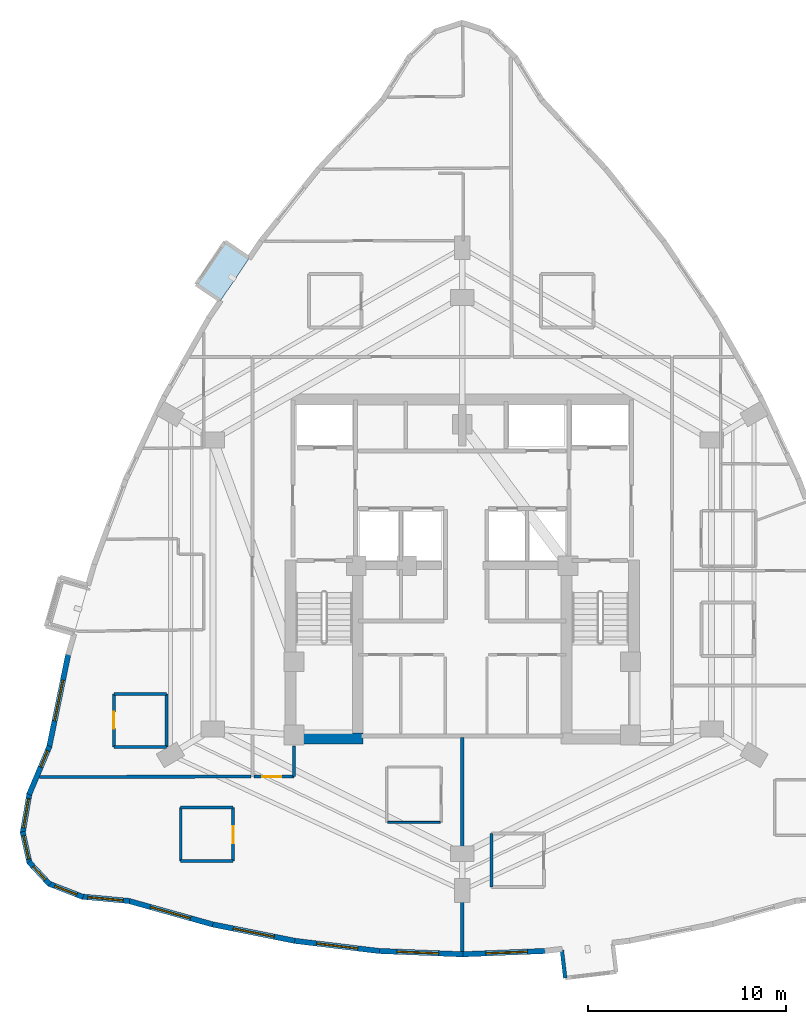
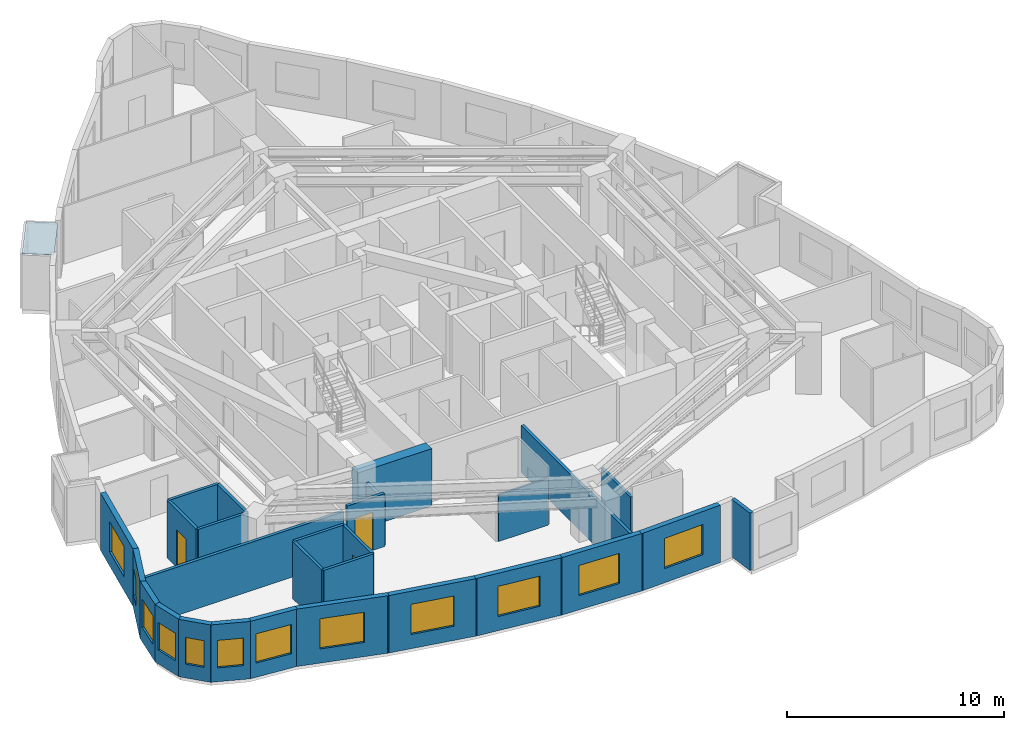
# One storey, part 5 of 11: 28 walls, 12 windows, 3 doors, 1 plate, 15 openings.
"""IFC4 building model written with IfcOpenShell, lengths in metres."""

from ifc_helpers import new_model, si_unit, direction, frame, frame_2d, origin, place, context, subcontext, project, spatial, polyline, rectangle, outline, extrude, material, layer, layer_set, type_object, element, fill, save


model = new_model("IFC4")

# Units and contexts
model_context = context("Model", 3, precision=1e-05, world=origin(), true_north=direction((0.0, 1.0)))
body_context = subcontext(model_context, "Body", "Model", "MODEL_VIEW")
ifc_project = project(units=[si_unit("LENGTHUNIT", "METRE"), si_unit("AREAUNIT", "SQUARE_METRE"), si_unit("VOLUMEUNIT", "CUBIC_METRE"), si_unit("PLANEANGLEUNIT", "RADIAN"), si_unit("MASSUNIT", "GRAM", prefix="KILO")], contexts=[model_context])

# Site, building, storey
site_placement = place(None, origin())
site = spatial("IfcSite", under=ifc_project, at=site_placement, CompositionType="ELEMENT")
building_placement = place(site_placement, origin())
building = spatial("IfcBuilding", under=site, at=building_placement, Name="Miruveldt Soraemaru", CompositionType="ELEMENT")
storey_placement = place(building_placement, frame((0.0, 0.0, 100.39990234375)))
storey = spatial("IfcBuildingStorey", under=building, at=storey_placement, Name="L27", CompositionType="ELEMENT", Elevation=100.39990234375)

# Plate
ifc_material_1 = material(Name="Standing-seam titanium-zinc sheet", Category="aluminium")
ifc_layer_1 = layer(ifc_material_1, 0.011962890625, Name="Standing-seam titanium-zinc sheet", Category="aluminium")
ifc_layer_set_1 = layer_set([ifc_layer_1], Name="Standing-seam titanium-zinc sheet")
plate_type = type_object("IfcPlateType", Name="PLT-ZINC-12", PredefinedType="SHEET", material=ifc_layer_set_1)
plate_placement = place(storey_placement, frame((0.0, 0.0, 3.085205078125)))
element("IfcPlate", 1, at=plate_placement, inside=storey, type_object=plate_type, Name="L27 Bay Window Zinc Hood Sheet 1", PredefinedType="SHEET", context=body_context, shape_type="SweptSolid", body=[
    extrude(outline(polyline([(33.243896484375, 59.58349609375), (31.785888671875, 57.430908203125), (30.560546875, 58.260986328125), (32.018798828125, 60.41357421875), (33.243896484375, 59.58349609375)])), origin(), (0.0, 0.0, 1.0), 0.011962890625),
])

# Walls
ifc_material_2 = material(Name="White powder-coated aluminium EN AW-6060 T6", Category="aluminium")
ifc_layer_2 = layer(ifc_material_2, 0.18994140625, Name="White powder-coated aluminium EN AW-6060 T6", Category="aluminium")
ifc_layer_set_2 = layer_set([ifc_layer_2], Name="White powder-coated aluminium EN AW-6060 T6")
wall_type_1 = type_object("IfcWallType", Name="WALL-BAY-ALU190", PredefinedType="SOLIDWALL", material=ifc_layer_set_2)
wall_1_placement = place(storey_placement, frame((49.033203125, 24.630859375, 0.0), z_axis=(0.0, 0.0, 1.0), x_axis=(0.119077659317, -0.992884943511, 0.0)))
element("IfcWall", 2, at=wall_1_placement, inside=storey, type_object=wall_type_1, Name="L27 Bay Window Side Cheek 3L", PredefinedType="SOLIDWALL", context=body_context, shape_type="SweptSolid", body=[
    extrude(rectangle(XDim=1.425048828125, YDim=0.18994140625, at=frame_2d((0.71240234375, 0.0))), origin(), (0.0, 0.0, 1.0), 3.235107421875),
])
ifc_material_3 = material(Name="Concrete C70/85 (70 MPa)", Category="concrete")
ifc_layer_3 = layer(ifc_material_3, 0.550048828125, Name="Concrete C70/85 (70 MPa)", Category="concrete")
ifc_layer_set_3 = layer_set([ifc_layer_3], Name="Concrete C70/85 (70 MPa)")
wall_type_2 = type_object("IfcWallType", Name="WALL-CW-550", PredefinedType="SHEAR", material=ifc_layer_set_3)
wall_2_placement = place(storey_placement, frame((35.050048828125, 35.324951171875, 0.0), z_axis=(0.0, 0.0, 1.0), x_axis=(1.0, 0.0, 0.0)))
element("IfcWall", 3, at=wall_2_placement, inside=storey, type_object=wall_type_2, Name="L27 Central Core Shear Wall S1", PredefinedType="SHEAR", context=body_context, shape_type="SweptSolid", body=[
    extrude(rectangle(XDim=3.949951171875, YDim=0.550048828125, at=frame_2d((1.97509765625, 0.0))), origin(), (0.0, 0.0, 1.0), 3.235107421875),
])

# Wall, opening, window
ifc_material_4 = material(Name="Precast concrete C45/55 (45 MPa)", Category="concrete")
ifc_layer_4 = layer(ifc_material_4, 0.27001953125, Name="Precast concrete C45/55 (45 MPa)", Category="concrete")
ifc_layer_set_4 = layer_set([ifc_layer_4], Name="Precast concrete C45/55 (45 MPa)")
wall_type_3 = type_object("IfcWallType", Name="WALL-EXT-PC270", PredefinedType="SOLIDWALL", material=ifc_layer_set_4)
wall_3_placement = place(storey_placement, frame((24.1083984375, 39.61181640625, 0.0), z_axis=(0.0, 0.0, 1.0), x_axis=(-0.201620201383, -0.979463779011, 0.0)))
wall_3 = element("IfcWall", 4, at=wall_3_placement, inside=storey, type_object=wall_type_3, Name="L27 Precast Concrete Facade Wall 14", PredefinedType="SOLIDWALL", context=body_context, shape_type="SweptSolid", body=[
    extrude(rectangle(XDim=4.84228515625, YDim=0.27001953125, at=frame_2d((2.421142578125, 0.0))), origin(), (0.0, 0.0, 1.0), 3.235107421875),
])
opening_1_placement = place(wall_3_placement, frame((1.37109375, 0.0, 0.800048828125)))
opening_1 = element("IfcOpeningElement", 5, at=opening_1_placement, cuts=wall_3, Name="Opening WN-1", PredefinedType="OPENING", context=body_context, shape_type="SweptSolid", body=[
    extrude(rectangle(XDim=2.10009765625, YDim=1.699951171875, at=frame_2d((1.050048828125, 0.85009765625))), frame((0.0, 0.14501953125, 0.0), z_axis=(0.0, -1.0, 0.0), x_axis=(1.0, 0.0, 0.0)), (0.0, 0.0, 1.0), 0.2900390625),
])
ifc_material_5 = material(Name="Triple low-e insulated glazing", Category="glass")
window_type_1 = type_object("IfcWindowType", Name="WIN-PUNCH-2100x1700", PartitioningType="SINGLE_PANEL", PredefinedType="WINDOW", material=ifc_material_5)
window_1_placement = place(opening_1_placement, origin())
window_1 = element("IfcWindow", 6, at=window_1_placement, inside=storey, type_object=window_type_1, Name="L27 Punched Triple-Glazed Window 14.1", OverallHeight=1.699951171875, OverallWidth=2.10009765625, PartitioningType="SINGLE_PANEL", PredefinedType="WINDOW", context=body_context, shape_type="SweptSolid", body=[
    extrude(rectangle(XDim=2.10009765625, YDim=1.699951171875, at=frame_2d((1.050048828125, 0.85009765625))), frame((0.0, 0.030029296875, 0.0), z_axis=(0.0, -1.0, 0.0), x_axis=(1.0, 0.0, 0.0)), (0.0, 0.0, 1.0), 0.06005859375),
])
fill(opening_1, window_1)

wall_4_placement = place(storey_placement, frame((23.15283203125, 34.935302734375, 0.0), z_axis=(0.0, 0.0, 1.0), x_axis=(-0.388669985328, -0.92137703602, 0.0)))
wall_4 = element("IfcWall", 7, at=wall_4_placement, inside=storey, type_object=wall_type_3, Name="L27 Precast Concrete Facade Wall 15", PredefinedType="SOLIDWALL", context=body_context, shape_type="SweptSolid", body=[
    extrude(rectangle(XDim=2.652587890625, YDim=0.27001953125, at=frame_2d((1.326171875, 0.0))), origin(), (0.0, 0.0, 1.0), 3.235107421875),
])
opening_2_placement = place(wall_4_placement, frame((0.2451171875, 0.0, 0.780029296875)))
opening_2 = element("IfcOpeningElement", 8, at=opening_2_placement, cuts=wall_4, Name="Opening WN-7", PredefinedType="OPENING", context=body_context, shape_type="SweptSolid", body=[
    extrude(rectangle(XDim=0.89990234375, YDim=1.5, at=frame_2d((0.449951171875, 0.75))), frame((0.0, 0.14501953125, 0.0), z_axis=(0.0, -1.0, 0.0), x_axis=(1.0, 0.0, 0.0)), (0.0, 0.0, 1.0), 0.2900390625),
])
window_type_2 = type_object("IfcWindowType", Name="WIN-PUNCH-900x1500", PartitioningType="SINGLE_PANEL", PredefinedType="WINDOW", material=ifc_material_5)
window_2_placement = place(opening_2_placement, origin())
window_2 = element("IfcWindow", 9, at=window_2_placement, inside=storey, type_object=window_type_2, Name="L27 Punched Triple-Glazed Window 15.1", OverallHeight=1.5, OverallWidth=0.89990234375, PartitioningType="SINGLE_PANEL", PredefinedType="WINDOW", context=body_context, shape_type="SweptSolid", body=[
    extrude(rectangle(XDim=0.89990234375, YDim=1.5, at=frame_2d((0.449951171875, 0.75))), frame((0.0, 0.030029296875, 0.0), z_axis=(0.0, -1.0, 0.0), x_axis=(1.0, 0.0, 0.0)), (0.0, 0.0, 1.0), 0.06005859375),
])
fill(opening_2, window_2)

wall_5_placement = place(storey_placement, frame((22.141357421875, 32.557861328125, 0.0), z_axis=(0.0, 0.0, 1.0), x_axis=(-0.169331450477, -0.985559161024, 0.0)))
wall_5 = element("IfcWall", 10, at=wall_5_placement, inside=storey, type_object=wall_type_3, Name="L27 Precast Concrete Facade Wall 16", PredefinedType="SOLIDWALL", context=body_context, shape_type="SweptSolid", body=[
    extrude(rectangle(XDim=2.0458984375, YDim=0.27001953125, at=frame_2d((1.02294921875, 0.0))), origin(), (0.0, 0.0, 1.0), 3.235107421875),
])
opening_3_placement = place(wall_5_placement, frame((0.27294921875, 0.0, 0.800048828125)))
opening_3 = element("IfcOpeningElement", 11, at=opening_3_placement, cuts=wall_5, Name="Opening WN-3", PredefinedType="OPENING", context=body_context, shape_type="SweptSolid", body=[
    extrude(rectangle(XDim=1.5, YDim=1.60009765625, at=frame_2d((0.75, 0.800048828125))), frame((0.0, 0.14501953125, 0.0), z_axis=(0.0, -1.0, 0.0), x_axis=(1.0, 0.0, 0.0)), (0.0, 0.0, 1.0), 0.2900390625),
])
window_type_3 = type_object("IfcWindowType", Name="WIN-PUNCH-1500x1600", PartitioningType="SINGLE_PANEL", PredefinedType="WINDOW", material=ifc_material_5)
window_3_placement = place(opening_3_placement, origin())
window_3 = element("IfcWindow", 12, at=window_3_placement, inside=storey, type_object=window_type_3, Name="L27 Punched Triple-Glazed Window 16.1", OverallHeight=1.60009765625, OverallWidth=1.5, PartitioningType="SINGLE_PANEL", PredefinedType="WINDOW", context=body_context, shape_type="SweptSolid", body=[
    extrude(rectangle(XDim=1.5, YDim=1.60009765625, at=frame_2d((0.75, 0.800048828125))), frame((0.0, 0.030029296875, 0.0), z_axis=(0.0, -1.0, 0.0), x_axis=(1.0, 0.0, 0.0)), (0.0, 0.0, 1.0), 0.06005859375),
])
fill(opening_3, window_3)

wall_6_placement = place(storey_placement, frame((21.793212890625, 30.6103515625, 0.0), z_axis=(0.0, 0.0, 1.0), x_axis=(0.215829951382, -0.97643096637, 0.0)))
wall_6 = element("IfcWall", 13, at=wall_6_placement, inside=storey, type_object=wall_type_3, Name="L27 Precast Concrete Facade Wall 17", PredefinedType="SOLIDWALL", context=body_context, shape_type="SweptSolid", body=[
    extrude(rectangle(XDim=1.620849609375, YDim=0.27001953125, at=frame_2d((0.810546875, 0.0))), origin(), (0.0, 0.0, 1.0), 3.235107421875),
])
opening_4_placement = place(wall_6_placement, frame((0.2109375, 0.0, 0.780029296875)))
opening_4 = element("IfcOpeningElement", 14, at=opening_4_placement, cuts=wall_6, Name="Opening WN-4", PredefinedType="OPENING", context=body_context, shape_type="SweptSolid", body=[
    extrude(rectangle(XDim=1.199951171875, YDim=1.550048828125, at=frame_2d((0.60009765625, 0.77490234375))), frame((0.0, 0.14501953125, 0.0), z_axis=(0.0, -1.0, 0.0), x_axis=(1.0, 0.0, 0.0)), (0.0, 0.0, 1.0), 0.2900390625),
])
window_type_4 = type_object("IfcWindowType", Name="WIN-PUNCH-1200x1550", PartitioningType="SINGLE_PANEL", PredefinedType="WINDOW", material=ifc_material_5)
window_4_placement = place(opening_4_placement, origin())
window_4 = element("IfcWindow", 15, at=window_4_placement, inside=storey, type_object=window_type_4, Name="L27 Punched Triple-Glazed Window 17.1", OverallHeight=1.550048828125, OverallWidth=1.199951171875, PartitioningType="SINGLE_PANEL", PredefinedType="WINDOW", context=body_context, shape_type="SweptSolid", body=[
    extrude(rectangle(XDim=1.199951171875, YDim=1.550048828125, at=frame_2d((0.60009765625, 0.77490234375))), frame((0.0, 0.030029296875, 0.0), z_axis=(0.0, -1.0, 0.0), x_axis=(1.0, 0.0, 0.0)), (0.0, 0.0, 1.0), 0.06005859375),
])
fill(opening_4, window_4)

wall_7_placement = place(storey_placement, frame((22.11181640625, 29.08740234375, 0.0), z_axis=(0.0, 0.0, 1.0), x_axis=(0.680154174704, -0.733069095402, 0.0)))
wall_7 = element("IfcWall", 16, at=wall_7_placement, inside=storey, type_object=wall_type_3, Name="L27 Precast Concrete Facade Wall 18", PredefinedType="SOLIDWALL", context=body_context, shape_type="SweptSolid", body=[
    extrude(rectangle(XDim=1.545654296875, YDim=0.27001953125, at=frame_2d((0.77294921875, 0.0))), origin(), (0.0, 0.0, 1.0), 3.235107421875),
])
opening_5_placement = place(wall_7_placement, frame((0.322998046875, 0.0, 0.780029296875)))
opening_5 = element("IfcOpeningElement", 17, at=opening_5_placement, cuts=wall_7, Name="Opening WN-7", PredefinedType="OPENING", context=body_context, shape_type="SweptSolid", body=[
    extrude(rectangle(XDim=0.89990234375, YDim=1.5, at=frame_2d((0.449951171875, 0.75))), frame((0.0, 0.14501953125, 0.0), z_axis=(0.0, -1.0, 0.0), x_axis=(1.0, 0.0, 0.0)), (0.0, 0.0, 1.0), 0.2900390625),
])
window_5_placement = place(opening_5_placement, origin())
window_5 = element("IfcWindow", 18, at=window_5_placement, inside=storey, type_object=window_type_2, Name="L27 Punched Triple-Glazed Window 18.1", OverallHeight=1.5, OverallWidth=0.89990234375, PartitioningType="SINGLE_PANEL", PredefinedType="WINDOW", context=body_context, shape_type="SweptSolid", body=[
    extrude(rectangle(XDim=0.89990234375, YDim=1.5, at=frame_2d((0.449951171875, 0.75))), frame((0.0, 0.030029296875, 0.0), z_axis=(0.0, -1.0, 0.0), x_axis=(1.0, 0.0, 0.0)), (0.0, 0.0, 1.0), 0.06005859375),
])
fill(opening_5, window_5)

wall_8_placement = place(storey_placement, frame((23.106689453125, 27.99267578125, 0.0), z_axis=(0.0, 0.0, 1.0), x_axis=(0.932247758565, -0.361820558634, 0.0)))
wall_8 = element("IfcWall", 19, at=wall_8_placement, inside=storey, type_object=wall_type_3, Name="L27 Precast Concrete Facade Wall 19", PredefinedType="SOLIDWALL", context=body_context, shape_type="SweptSolid", body=[
    extrude(rectangle(XDim=1.8642578125, YDim=0.27001953125, at=frame_2d((0.93212890625, 0.0))), origin(), (0.0, 0.0, 1.0), 3.235107421875),
])
opening_6_placement = place(wall_8_placement, frame((0.33203125, 0.0, 0.780029296875)))
opening_6 = element("IfcOpeningElement", 20, at=opening_6_placement, cuts=wall_8, Name="Opening WN-4", PredefinedType="OPENING", context=body_context, shape_type="SweptSolid", body=[
    extrude(rectangle(XDim=1.199951171875, YDim=1.550048828125, at=frame_2d((0.60009765625, 0.77490234375))), frame((0.0, 0.14501953125, 0.0), z_axis=(0.0, -1.0, 0.0), x_axis=(1.0, 0.0, 0.0)), (0.0, 0.0, 1.0), 0.2900390625),
])
window_6_placement = place(opening_6_placement, origin())
window_6 = element("IfcWindow", 21, at=window_6_placement, inside=storey, type_object=window_type_4, Name="L27 Punched Triple-Glazed Window 19.1", OverallHeight=1.550048828125, OverallWidth=1.199951171875, PartitioningType="SINGLE_PANEL", PredefinedType="WINDOW", context=body_context, shape_type="SweptSolid", body=[
    extrude(rectangle(XDim=1.199951171875, YDim=1.550048828125, at=frame_2d((0.60009765625, 0.77490234375))), frame((0.0, 0.030029296875, 0.0), z_axis=(0.0, -1.0, 0.0), x_axis=(1.0, 0.0, 0.0)), (0.0, 0.0, 1.0), 0.06005859375),
])
fill(opening_6, window_6)

wall_9_placement = place(storey_placement, frame((24.777099609375, 27.333984375, 0.0), z_axis=(0.0, 0.0, 1.0), x_axis=(0.995766679018, -0.091916924217, 0.0)))
wall_9 = element("IfcWall", 22, at=wall_9_placement, inside=storey, type_object=wall_type_3, Name="L27 Precast Concrete Facade Wall 20", PredefinedType="SOLIDWALL", context=body_context, shape_type="SweptSolid", body=[
    extrude(rectangle(XDim=2.42236328125, YDim=0.27001953125, at=frame_2d((1.211181640625, 0.0))), origin(), (0.0, 0.0, 1.0), 3.235107421875),
])
opening_7_placement = place(wall_9_placement, frame((0.31103515625, 0.0, 0.800048828125)))
opening_7 = element("IfcOpeningElement", 23, at=opening_7_placement, cuts=wall_9, Name="Opening WN-2", PredefinedType="OPENING", context=body_context, shape_type="SweptSolid", body=[
    extrude(rectangle(XDim=1.800048828125, YDim=1.64990234375, at=frame_2d((0.89990234375, 0.824951171875))), frame((0.0, 0.14501953125, 0.0), z_axis=(0.0, -1.0, 0.0), x_axis=(1.0, 0.0, 0.0)), (0.0, 0.0, 1.0), 0.2900390625),
])
window_type_5 = type_object("IfcWindowType", Name="WIN-PUNCH-1800x1650", PartitioningType="SINGLE_PANEL", PredefinedType="WINDOW", material=ifc_material_5)
window_7_placement = place(opening_7_placement, origin())
window_7 = element("IfcWindow", 24, at=window_7_placement, inside=storey, type_object=window_type_5, Name="L27 Punched Triple-Glazed Window 20.1", OverallHeight=1.64990234375, OverallWidth=1.800048828125, PartitioningType="SINGLE_PANEL", PredefinedType="WINDOW", context=body_context, shape_type="SweptSolid", body=[
    extrude(rectangle(XDim=1.800048828125, YDim=1.64990234375, at=frame_2d((0.89990234375, 0.824951171875))), frame((0.0, 0.030029296875, 0.0), z_axis=(0.0, -1.0, 0.0), x_axis=(1.0, 0.0, 0.0)), (0.0, 0.0, 1.0), 0.06005859375),
])
fill(opening_7, window_7)

wall_10_placement = place(storey_placement, frame((27.12060546875, 27.1240234375, 0.0), z_axis=(0.0, 0.0, 1.0), x_axis=(0.962968014134, -0.269615659327, 0.0)))
wall_10 = element("IfcWall", 25, at=wall_10_placement, inside=storey, type_object=wall_type_3, Name="L27 Precast Concrete Facade Wall 21", PredefinedType="SOLIDWALL", context=body_context, shape_type="SweptSolid", body=[
    extrude(rectangle(XDim=4.443359375, YDim=0.27001953125, at=frame_2d((2.2216796875, 0.0))), origin(), (0.0, 0.0, 1.0), 3.235107421875),
])
opening_8_placement = place(wall_10_placement, frame((1.1708984375, 0.0, 0.800048828125)))
opening_8 = element("IfcOpeningElement", 26, at=opening_8_placement, cuts=wall_10, Name="Opening WN-1", PredefinedType="OPENING", context=body_context, shape_type="SweptSolid", body=[
    extrude(rectangle(XDim=2.10009765625, YDim=1.699951171875, at=frame_2d((1.050048828125, 0.85009765625))), frame((0.0, 0.14501953125, 0.0), z_axis=(0.0, -1.0, 0.0), x_axis=(1.0, 0.0, 0.0)), (0.0, 0.0, 1.0), 0.2900390625),
])
window_8_placement = place(opening_8_placement, origin())
window_8 = element("IfcWindow", 27, at=window_8_placement, inside=storey, type_object=window_type_1, Name="L27 Punched Triple-Glazed Window 21.1", OverallHeight=1.699951171875, OverallWidth=2.10009765625, PartitioningType="SINGLE_PANEL", PredefinedType="WINDOW", context=body_context, shape_type="SweptSolid", body=[
    extrude(rectangle(XDim=2.10009765625, YDim=1.699951171875, at=frame_2d((1.050048828125, 0.85009765625))), frame((0.0, 0.030029296875, 0.0), z_axis=(0.0, -1.0, 0.0), x_axis=(1.0, 0.0, 0.0)), (0.0, 0.0, 1.0), 0.06005859375),
])
fill(opening_8, window_8)

wall_11_placement = place(storey_placement, frame((31.331298828125, 25.9423828125, 0.0), z_axis=(0.0, 0.0, 1.0), x_axis=(0.980572069577, -0.196159160801, 0.0)))
wall_11 = element("IfcWall", 28, at=wall_11_placement, inside=storey, type_object=wall_type_3, Name="L27 Precast Concrete Facade Wall 22", PredefinedType="SOLIDWALL", context=body_context, shape_type="SweptSolid", body=[
    extrude(rectangle(XDim=4.36474609375, YDim=0.27001953125, at=frame_2d((2.182373046875, 0.0))), origin(), (0.0, 0.0, 1.0), 3.235107421875),
])
opening_9_placement = place(wall_11_placement, frame((1.132080078125, 0.0, 0.800048828125)))
opening_9 = element("IfcOpeningElement", 29, at=opening_9_placement, cuts=wall_11, Name="Opening WN-1", PredefinedType="OPENING", context=body_context, shape_type="SweptSolid", body=[
    extrude(rectangle(XDim=2.10009765625, YDim=1.699951171875, at=frame_2d((1.050048828125, 0.85009765625))), frame((0.0, 0.14501953125, 0.0), z_axis=(0.0, -1.0, 0.0), x_axis=(1.0, 0.0, 0.0)), (0.0, 0.0, 1.0), 0.2900390625),
])
window_9_placement = place(opening_9_placement, origin())
window_9 = element("IfcWindow", 30, at=window_9_placement, inside=storey, type_object=window_type_1, Name="L27 Punched Triple-Glazed Window 22.1", OverallHeight=1.699951171875, OverallWidth=2.10009765625, PartitioningType="SINGLE_PANEL", PredefinedType="WINDOW", context=body_context, shape_type="SweptSolid", body=[
    extrude(rectangle(XDim=2.10009765625, YDim=1.699951171875, at=frame_2d((1.050048828125, 0.85009765625))), frame((0.0, 0.030029296875, 0.0), z_axis=(0.0, -1.0, 0.0), x_axis=(1.0, 0.0, 0.0)), (0.0, 0.0, 1.0), 0.06005859375),
])
fill(opening_9, window_9)

wall_12_placement = place(storey_placement, frame((35.542236328125, 25.097412109375, 0.0), z_axis=(0.0, 0.0, 1.0), x_axis=(0.992871478908, -0.119189875284, 0.0)))
wall_12 = element("IfcWall", 31, at=wall_12_placement, inside=storey, type_object=wall_type_3, Name="L27 Precast Concrete Facade Wall 23", PredefinedType="SOLIDWALL", context=body_context, shape_type="SweptSolid", body=[
    extrude(rectangle(XDim=4.311767578125, YDim=0.27001953125, at=frame_2d((2.15576171875, 0.0))), origin(), (0.0, 0.0, 1.0), 3.235107421875),
])
opening_10_placement = place(wall_12_placement, frame((1.10595703125, 0.0, 0.800048828125)))
opening_10 = element("IfcOpeningElement", 32, at=opening_10_placement, cuts=wall_12, Name="Opening WN-1", PredefinedType="OPENING", context=body_context, shape_type="SweptSolid", body=[
    extrude(rectangle(XDim=2.10009765625, YDim=1.699951171875, at=frame_2d((1.050048828125, 0.85009765625))), frame((0.0, 0.14501953125, 0.0), z_axis=(0.0, -1.0, 0.0), x_axis=(1.0, 0.0, 0.0)), (0.0, 0.0, 1.0), 0.2900390625),
])
window_10_placement = place(opening_10_placement, origin())
window_10 = element("IfcWindow", 33, at=window_10_placement, inside=storey, type_object=window_type_1, Name="L27 Punched Triple-Glazed Window 23.1", OverallHeight=1.699951171875, OverallWidth=2.10009765625, PartitioningType="SINGLE_PANEL", PredefinedType="WINDOW", context=body_context, shape_type="SweptSolid", body=[
    extrude(rectangle(XDim=2.10009765625, YDim=1.699951171875, at=frame_2d((1.050048828125, 0.85009765625))), frame((0.0, 0.030029296875, 0.0), z_axis=(0.0, -1.0, 0.0), x_axis=(1.0, 0.0, 0.0)), (0.0, 0.0, 1.0), 0.06005859375),
])
fill(opening_10, window_10)

wall_13_placement = place(storey_placement, frame((39.75341796875, 24.589111328125, 0.0), z_axis=(0.0, 0.0, 1.0), x_axis=(0.999199775062, -0.039997618868, 0.0)))
wall_13 = element("IfcWall", 34, at=wall_13_placement, inside=storey, type_object=wall_type_3, Name="L27 Precast Concrete Facade Wall 24", PredefinedType="SOLIDWALL", context=body_context, shape_type="SweptSolid", body=[
    extrude(rectangle(XDim=4.284912109375, YDim=0.27001953125, at=frame_2d((2.142578125, 0.0))), origin(), (0.0, 0.0, 1.0), 3.235107421875),
])
opening_11_placement = place(wall_13_placement, frame((0.951904296875, 0.0, 0.800048828125)))
opening_11 = element("IfcOpeningElement", 35, at=opening_11_placement, cuts=wall_13, Name="Opening WN-1", PredefinedType="OPENING", context=body_context, shape_type="SweptSolid", body=[
    extrude(rectangle(XDim=2.10009765625, YDim=1.699951171875, at=frame_2d((1.050048828125, 0.85009765625))), frame((0.0, 0.14501953125, 0.0), z_axis=(0.0, -1.0, 0.0), x_axis=(1.0, 0.0, 0.0)), (0.0, 0.0, 1.0), 0.2900390625),
])
window_11_placement = place(opening_11_placement, origin())
window_11 = element("IfcWindow", 36, at=window_11_placement, inside=storey, type_object=window_type_1, Name="L27 Punched Triple-Glazed Window 24.1", OverallHeight=1.699951171875, OverallWidth=2.10009765625, PartitioningType="SINGLE_PANEL", PredefinedType="WINDOW", context=body_context, shape_type="SweptSolid", body=[
    extrude(rectangle(XDim=2.10009765625, YDim=1.699951171875, at=frame_2d((1.050048828125, 0.85009765625))), frame((0.0, 0.030029296875, 0.0), z_axis=(0.0, -1.0, 0.0), x_axis=(1.0, 0.0, 0.0)), (0.0, 0.0, 1.0), 0.06005859375),
])
fill(opening_11, window_11)

wall_14_placement = place(storey_placement, frame((43.965087890625, 24.417724609375, 0.0), z_axis=(0.0, 0.0, 1.0), x_axis=(0.999199775062, 0.039997618868, 0.0)))
wall_14 = element("IfcWall", 37, at=wall_14_placement, inside=storey, type_object=wall_type_3, Name="L27 Precast Concrete Facade Wall 25", PredefinedType="SOLIDWALL", context=body_context, shape_type="SweptSolid", body=[
    extrude(rectangle(XDim=4.284912109375, YDim=0.27001953125, at=frame_2d((2.142578125, 0.0))), origin(), (0.0, 0.0, 1.0), 3.235107421875),
])
opening_12_placement = place(wall_14_placement, frame((1.23291015625, 0.0, 0.800048828125)))
opening_12 = element("IfcOpeningElement", 38, at=opening_12_placement, cuts=wall_14, Name="Opening WN-1", PredefinedType="OPENING", context=body_context, shape_type="SweptSolid", body=[
    extrude(rectangle(XDim=2.10009765625, YDim=1.699951171875, at=frame_2d((1.050048828125, 0.85009765625))), frame((0.0, 0.14501953125, 0.0), z_axis=(0.0, -1.0, 0.0), x_axis=(1.0, 0.0, 0.0)), (0.0, 0.0, 1.0), 0.2900390625),
])
window_12_placement = place(opening_12_placement, origin())
window_12 = element("IfcWindow", 39, at=window_12_placement, inside=storey, type_object=window_type_1, Name="L27 Punched Triple-Glazed Window 25.1", OverallHeight=1.699951171875, OverallWidth=2.10009765625, PartitioningType="SINGLE_PANEL", PredefinedType="WINDOW", context=body_context, shape_type="SweptSolid", body=[
    extrude(rectangle(XDim=2.10009765625, YDim=1.699951171875, at=frame_2d((1.050048828125, 0.85009765625))), frame((0.0, 0.030029296875, 0.0), z_axis=(0.0, -1.0, 0.0), x_axis=(1.0, 0.0, 0.0)), (0.0, 0.0, 1.0), 0.06005859375),
])
fill(opening_12, window_12)

# Wall
ifc_material_6 = material(Name="Gypsum plasterboard lining", Category="gypsum")
ifc_layer_5 = layer(ifc_material_6, 0.10009765625, Name="Gypsum plasterboard lining", Category="gypsum")
ifc_layer_set_5 = layer_set([ifc_layer_5], Name="Gypsum plasterboard lining")
wall_type_4 = type_object("IfcWallType", Name="WALL-INT-P100", PredefinedType="PARTITIONING", material=ifc_layer_set_5)
wall_15_placement = place(storey_placement, frame((40.23095703125, 31.0810546875, 0.0), z_axis=(0.0, 0.0, 1.0), x_axis=(1.0, 0.0, 0.0)))
element("IfcWall", 40, at=wall_15_placement, inside=storey, type_object=wall_type_4, Name="L27 Partition Wall 60", PredefinedType="PARTITIONING", context=body_context, shape_type="SweptSolid", body=[
    extrude(rectangle(XDim=2.650146484375, YDim=0.10009765625, at=frame_2d((1.3251953125, 0.0))), origin(), (0.0, 0.0, 1.0), 2.635009765625),
])

# Wall, opening, door
ifc_layer_6 = layer(ifc_material_6, 0.14990234375, Name="Gypsum plasterboard lining", Category="gypsum")
ifc_layer_set_6 = layer_set([ifc_layer_6], Name="Gypsum plasterboard lining")
wall_type_5 = type_object("IfcWallType", Name="WALL-INT-PLUMB", PredefinedType="PLUMBINGWALL", material=ifc_layer_set_6)
wall_16_placement = place(storey_placement, frame((32.430908203125, 29.131103515625, 0.0), z_axis=(0.0, 0.0, 1.0), x_axis=(0.0, 1.0, 0.0)))
wall_16 = element("IfcWall", 41, at=wall_16_placement, inside=storey, type_object=wall_type_5, Name="L27 Partition Wall 53", PredefinedType="PLUMBINGWALL", context=body_context, shape_type="SweptSolid", body=[
    extrude(rectangle(XDim=2.699951171875, YDim=0.14990234375, at=frame_2d((1.35009765625, 0.0))), origin(), (0.0, 0.0, 1.0), 3.235107421875),
])
opening_13_placement = place(wall_16_placement, frame((0.909912109375, 0.0, 0.0)))
opening_13 = element("IfcOpeningElement", 42, at=opening_13_placement, cuts=wall_16, Name="Opening FD3", PredefinedType="OPENING", context=body_context, shape_type="SweptSolid", body=[
    extrude(rectangle(XDim=0.85009765625, YDim=2.10009765625, at=frame_2d((0.425048828125, 1.050048828125))), frame((0.0, 0.0849609375, 0.0), z_axis=(0.0, -1.0, 0.0), x_axis=(1.0, 0.0, 0.0)), (0.0, 0.0, 1.0), 0.169921875),
])
ifc_material_7 = material(Name="Anodised aluminium EN AW-6063 T6", Category="aluminium")
door_type_1 = type_object("IfcDoorType", Name="DOOR-FD3-850", OperationType="NOTDEFINED", PredefinedType="DOOR", material=ifc_material_7)
door_1_placement = place(opening_13_placement, origin())
door_1 = element("IfcDoor", 43, at=door_1_placement, inside=storey, type_object=door_type_1, Name="L27 Unit CL05 BTH Door", OperationType="SINGLE_SWING_RIGHT", OverallHeight=2.10009765625, OverallWidth=0.85009765625, PredefinedType="DOOR", context=body_context, shape_type="SweptSolid", body=[
    extrude(rectangle(XDim=0.85009765625, YDim=2.10009765625, at=frame_2d((0.425048828125, 1.050048828125))), frame((0.0, 0.02490234375, 0.0), z_axis=(0.0, -1.0, 0.0), x_axis=(1.0, 0.0, 0.0)), (0.0, 0.0, 1.0), 0.050048828125),
])
fill(opening_13, door_1)

wall_17_placement = place(storey_placement, frame((26.407958984375, 37.580078125, 0.0), z_axis=(0.0, 0.0, 1.0), x_axis=(0.0, -1.0, 0.0)))
wall_17 = element("IfcWall", 44, at=wall_17_placement, inside=storey, type_object=wall_type_5, Name="L27 Partition Wall 28", PredefinedType="PLUMBINGWALL", context=body_context, shape_type="SweptSolid", body=[
    extrude(rectangle(XDim=2.7001953125, YDim=0.14990234375, at=frame_2d((1.35009765625, 0.0))), origin(), (0.0, 0.0, 1.0), 3.235107421875),
])
opening_14_placement = place(wall_17_placement, frame((0.909912109375, 0.0, 0.0)))
opening_14 = element("IfcOpeningElement", 45, at=opening_14_placement, cuts=wall_17, Name="Opening FD3", PredefinedType="OPENING", context=body_context, shape_type="SweptSolid", body=[
    extrude(rectangle(XDim=0.85009765625, YDim=2.10009765625, at=frame_2d((0.425048828125, 1.050048828125))), frame((0.0, 0.0849609375, 0.0), z_axis=(0.0, -1.0, 0.0), x_axis=(1.0, 0.0, 0.0)), (0.0, 0.0, 1.0), 0.169921875),
])
door_2_placement = place(opening_14_placement, origin())
door_2 = element("IfcDoor", 46, at=door_2_placement, inside=storey, type_object=door_type_1, Name="L27 Unit 2703 BTH Door", OperationType="SINGLE_SWING_LEFT", OverallHeight=2.10009765625, OverallWidth=0.85009765625, PredefinedType="DOOR", context=body_context, shape_type="SweptSolid", body=[
    extrude(rectangle(XDim=0.85009765625, YDim=2.10009765625, at=frame_2d((0.425048828125, 1.050048828125))), frame((0.0, 0.02490234375, 0.0), z_axis=(0.0, -1.0, 0.0), x_axis=(1.0, 0.0, 0.0)), (0.0, 0.0, 1.0), 0.050048828125),
])
fill(opening_14, door_2)

# Walls
wall_18_placement = place(storey_placement, frame((29.781005859375, 31.8310546875, 0.0), z_axis=(0.0, 0.0, 1.0), x_axis=(0.0, -1.0, 0.0)))
element("IfcWall", 47, at=wall_18_placement, inside=storey, type_object=wall_type_5, Name="L27 Partition Wall 55", PredefinedType="PLUMBINGWALL", context=body_context, shape_type="SweptSolid", body=[
    extrude(rectangle(XDim=2.699951171875, YDim=0.14990234375, at=frame_2d((1.35009765625, 0.0))), origin(), (0.0, 0.0, 1.0), 3.235107421875),
])
wall_19_placement = place(storey_placement, frame((45.47998046875, 30.531005859375, 0.0), z_axis=(0.0, 0.0, 1.0), x_axis=(0.0, -1.0, 0.0)))
element("IfcWall", 48, at=wall_19_placement, inside=storey, type_object=wall_type_5, Name="L27 Partition Wall 64", PredefinedType="PLUMBINGWALL", context=body_context, shape_type="SweptSolid", body=[
    extrude(rectangle(XDim=2.699951171875, YDim=0.14990234375, at=frame_2d((1.35009765625, 0.0))), origin(), (0.0, 0.0, 1.0), 2.635009765625),
])
wall_20_placement = place(storey_placement, frame((29.05810546875, 34.8798828125, 0.0), z_axis=(0.0, 0.0, 1.0), x_axis=(0.0, 1.0, 0.0)))
element("IfcWall", 49, at=wall_20_placement, inside=storey, type_object=wall_type_5, Name="L27 Partition Wall 26", PredefinedType="PLUMBINGWALL", context=body_context, shape_type="SweptSolid", body=[
    extrude(rectangle(XDim=2.7001953125, YDim=0.14990234375, at=frame_2d((1.35009765625, 0.0))), origin(), (0.0, 0.0, 1.0), 3.235107421875),
])
for number, where, z_axis, x_axis, name in (
    (50, (29.05810546875, 37.580078125, 0.0), (0.0, 0.0, 1.0), (-1.0, 0.0, 0.0), "L27 Partition Wall 27"),
    (51, (26.407958984375, 34.8798828125, 0.0), (0.0, 0.0, 1.0), (1.0, 0.0, 0.0), "L27 Partition Wall 29"),
):
    element("IfcWall", number, at=place(storey_placement, frame(where, z_axis=z_axis, x_axis=x_axis)), inside=storey, type_object=wall_type_5, Name=name, PredefinedType="PLUMBINGWALL", context=body_context, shape_type="SweptSolid", body=[
        extrude(rectangle(XDim=2.650146484375, YDim=0.14990234375, at=frame_2d((1.3251953125, 0.0))), origin(), (0.0, 0.0, 1.0), 3.235107421875),
    ])
for number, where, z_axis, x_axis, name in (
    (52, (32.430908203125, 31.8310546875, 0.0), (0.0, 0.0, 1.0), (-1.0, 0.0, 0.0), "L27 Partition Wall 54"),
    (53, (29.781005859375, 29.131103515625, 0.0), (0.0, 0.0, 1.0), (1.0, 0.0, 0.0), "L27 Partition Wall 56"),
):
    element("IfcWall", number, at=place(storey_placement, frame(where, z_axis=z_axis, x_axis=x_axis)), inside=storey, type_object=wall_type_5, Name=name, PredefinedType="PLUMBINGWALL", context=body_context, shape_type="SweptSolid", body=[
        extrude(rectangle(XDim=2.64990234375, YDim=0.14990234375, at=frame_2d((1.324951171875, 0.0))), origin(), (0.0, 0.0, 1.0), 3.235107421875),
    ])

# Wall, opening, door
ifc_material_8 = material(Name="Concrete C40/50 (40 MPa)", Category="concrete")
ifc_layer_7 = layer(ifc_material_8, 0.159912109375, Name="Concrete C40/50 (40 MPa)", Category="concrete")
ifc_layer_set_7 = layer_set([ifc_layer_7], Name="Concrete C40/50 (40 MPa)")
wall_type_6 = type_object("IfcWallType", Name="WALL-INT-RC160", PredefinedType="SOLIDWALL", material=ifc_layer_set_7)
wall_21_placement = place(storey_placement, frame((33.47998046875, 33.39990234375, 0.0), z_axis=(0.0, 0.0, 1.0), x_axis=(1.0, 0.0, 0.0)))
wall_21 = element("IfcWall", 54, at=wall_21_placement, inside=storey, type_object=wall_type_6, Name="L27 Partition Wall 5", PredefinedType="SOLIDWALL", context=body_context, shape_type="SweptSolid", body=[
    extrude(rectangle(XDim=2.02001953125, YDim=0.159912109375, at=frame_2d((1.010009765625, 0.0))), origin(), (0.0, 0.0, 1.0), 2.97314453125),
])
opening_15_placement = place(wall_21_placement, frame((0.425048828125, 0.0, 0.0)))
opening_15 = element("IfcOpeningElement", 55, at=opening_15_placement, cuts=wall_21, Name="Opening FD2", PredefinedType="OPENING", context=body_context, shape_type="SweptSolid", body=[
    extrude(rectangle(XDim=0.949951171875, YDim=2.14990234375, at=frame_2d((0.47509765625, 1.074951171875))), frame((0.0, 0.08984375, 0.0), z_axis=(0.0, -1.0, 0.0), x_axis=(1.0, 0.0, 0.0)), (0.0, 0.0, 1.0), 0.179931640625),
])
door_type_2 = type_object("IfcDoorType", Name="DOOR-FD2-950", OperationType="NOTDEFINED", PredefinedType="DOOR", material=ifc_material_7)
door_3_placement = place(opening_15_placement, origin())
door_3 = element("IfcDoor", 56, at=door_3_placement, inside=storey, type_object=door_type_2, Name="L27 Unit CL05 Entrance Fire Door", OperationType="SINGLE_SWING_LEFT", OverallHeight=2.14990234375, OverallWidth=0.949951171875, PredefinedType="DOOR", context=body_context, shape_type="SweptSolid", body=[
    extrude(rectangle(XDim=0.949951171875, YDim=2.14990234375, at=frame_2d((0.47509765625, 1.074951171875))), frame((0.0, 0.02490234375, 0.0), z_axis=(0.0, -1.0, 0.0), x_axis=(1.0, 0.0, 0.0)), (0.0, 0.0, 1.0), 0.050048828125),
])
fill(opening_15, door_3)

# Walls
wall_22_placement = place(storey_placement, frame((44.0, 24.569091796875, 0.0), z_axis=(0.0, 0.0, 1.0), x_axis=(0.0, 1.0, 0.0)))
element("IfcWall", 57, at=wall_22_placement, inside=storey, type_object=wall_type_6, Name="L27 Partition Wall 61", PredefinedType="SOLIDWALL", context=body_context, shape_type="SweptSolid", body=[
    extrude(rectangle(XDim=10.7958984375, YDim=0.159912109375, at=frame_2d((5.39794921875, 0.0))), origin(), (0.0, 0.0, 1.0), 2.635009765625),
])
wall_23_placement = place(storey_placement, frame((22.656982421875, 33.3740234375, 0.0), z_axis=(0.0, 0.0, 1.0), x_axis=(0.99999705494, 0.002426955028, 0.0)))
element("IfcWall", 58, at=wall_23_placement, inside=storey, type_object=wall_type_6, Name="L27 Partition Wall 37", PredefinedType="SOLIDWALL", context=body_context, shape_type="SweptSolid", body=[
    extrude(rectangle(XDim=10.6630859375, YDim=0.159912109375, at=frame_2d((5.33154296875, 0.0))), origin(), (0.0, 0.0, 1.0), 2.72314453125),
])
wall_24_placement = place(storey_placement, frame((35.5, 33.39990234375, 0.0), z_axis=(0.0, 0.0, 1.0), x_axis=(0.0, 1.0, 0.0)))
element("IfcWall", 59, at=wall_24_placement, inside=storey, type_object=wall_type_6, Name="L27 Partition Wall 6", PredefinedType="SOLIDWALL", context=body_context, shape_type="SweptSolid", body=[
    extrude(rectangle(XDim=1.547119140625, YDim=0.159912109375, at=frame_2d((0.7734375, 0.0))), origin(), (0.0, 0.0, 1.0), 2.635009765625),
])

save(model, "model.ifc")
